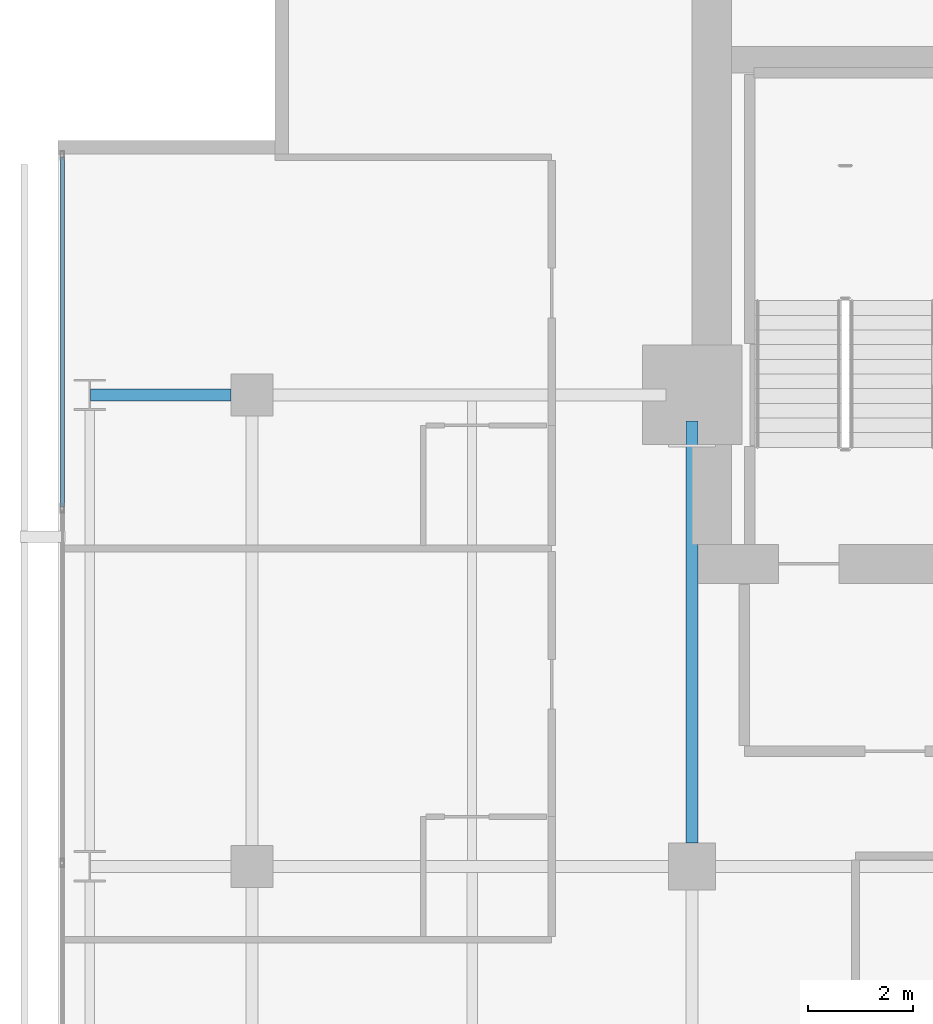
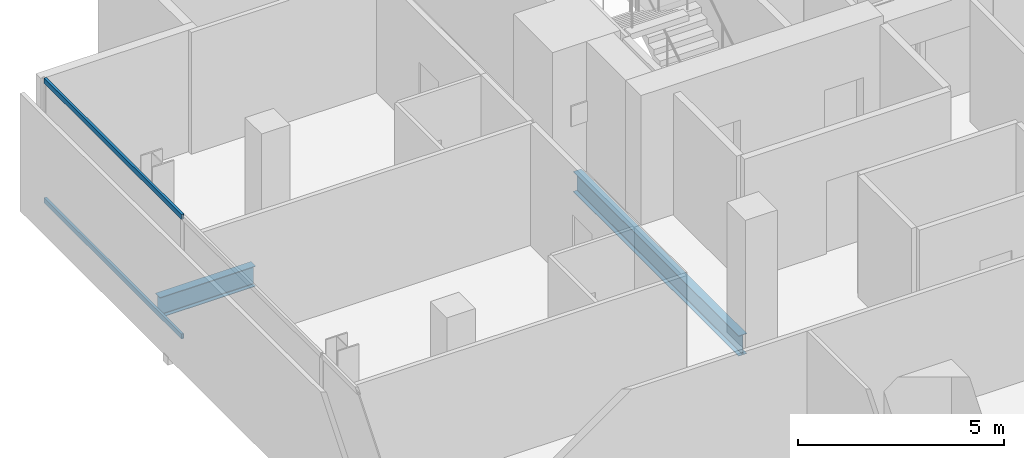
# One storey, part 19 of 33: 2 beams, 2 members, 1 element without a shape of its own.
"""IFC4 building model written with IfcOpenShell, lengths in metres."""

import ifcopenshell
import ifcopenshell.guid

model = None  # the IFC model being written
_history = None  # IfcOwnerHistory: only IFC2X3 demands one
_inside = {}  # id of a spatial element -> (the spatial element, [elements in it])
_under = {}  # id of a project, library or spatial element -> (it, [spatial elements below it])
_declared = {}  # id of a project -> (the project, [libraries it declares])
_typed = {}  # id of a type object -> (the type object, [elements of that type])
_made_of = {}  # id of a material, layer set ... -> (it, [elements and type objects made of it])


def new_model(schema):
    """Start an empty IFC model of exactly this schema.

    Asked for "IFC4X3", IfcOpenShell would pick the latest addendum, in which some entities
    have other attributes; the version numbers below select the first issue.
    IFC2X3 requires an IfcOwnerHistory on every rooted entity: one is made here for all.
    """
    global model, _history
    if schema == "IFC4X3":
        model = ifcopenshell.file(schema_version=(4, 3, 0, 0))
    else:
        model = ifcopenshell.file(schema=schema)
    _inside.clear()
    _under.clear()
    _declared.clear()
    _typed.clear()
    _made_of.clear()
    _history = None
    if model.schema == "IFC2X3":
        org = make("IfcOrganization", Name="unknown")
        user = make(
            "IfcPersonAndOrganization",
            ThePerson=make("IfcPerson", FamilyName="unknown"),
            TheOrganization=org,
        )
        app = make(
            "IfcApplication",
            ApplicationDeveloper=org,
            Version="unknown",
            ApplicationFullName="unknown",
            ApplicationIdentifier="unknown",
        )
        _history = make(
            "IfcOwnerHistory",
            OwningUser=user,
            OwningApplication=app,
            ChangeAction="ADDED",
            CreationDate=0,
        )
    return model


def make(cls, **values):
    """One entity of the class cls with the attributes given. An attribute that is None is left unset."""
    return model.create_entity(
        cls, **{name: value for name, value in values.items() if value is not None}
    )


def rooted(cls, **values):
    """An entity with a GlobalId (a new one), such as an element, a storey or a relation."""
    return make(cls, GlobalId=ifcopenshell.guid.new(), OwnerHistory=_history, **values)


def si_unit(unit_type, name, prefix=None):
    """IfcSIUnit, for example si_unit("LENGTHUNIT", "METRE", prefix="MILLI")."""
    return make("IfcSIUnit", UnitType=unit_type, Prefix=prefix, Name=name)


def assignment(units):
    """IfcUnitAssignment: the units of a project."""
    return None if units is None else make("IfcUnitAssignment", Units=units)


def point(xyz):
    """IfcCartesianPoint."""
    return None if xyz is None else make("IfcCartesianPoint", Coordinates=xyz)


def direction(xyz):
    """IfcDirection."""
    return None if xyz is None else make("IfcDirection", DirectionRatios=xyz)


def frame(location, z_axis=None, x_axis=None):
    """IfcAxis2Placement3D, a coordinate frame: its origin and axes. An axis left out is left unset."""
    return make(
        "IfcAxis2Placement3D",
        Location=point(location),
        Axis=direction(z_axis),
        RefDirection=direction(x_axis),
    )


def frame_2d(location, x_axis=None):
    """IfcAxis2Placement2D, a coordinate frame in the plane: its origin and x axis."""
    return make(
        "IfcAxis2Placement2D", Location=point(location), RefDirection=direction(x_axis)
    )


def origin():
    """The frame at (0, 0, 0) with its axes left unset."""
    return frame((0.0, 0.0, 0.0))


def origin_2d():
    """The frame at (0, 0) in the plane with its x axis left unset."""
    return frame_2d((0.0, 0.0))


def place(relative_to, where):
    """IfcLocalPlacement: puts the frame where relative to a parent placement (None: the world)."""
    return make(
        "IfcLocalPlacement", PlacementRelTo=relative_to, RelativePlacement=where
    )


def context(
    kind, dimensions, precision=None, world=None, true_north=None, identifier=None
):
    """IfcGeometricRepresentationContext, for example the 3D "Model" context."""
    return make(
        "IfcGeometricRepresentationContext",
        ContextIdentifier=identifier,
        ContextType=kind,
        CoordinateSpaceDimension=dimensions,
        Precision=precision,
        WorldCoordinateSystem=world,
        TrueNorth=true_north,
    )


def subcontext(parent, identifier, kind, view, scale=None):
    """IfcGeometricRepresentationSubContext, for example "Body" below "Model"."""
    return make(
        "IfcGeometricRepresentationSubContext",
        ContextIdentifier=identifier,
        ContextType=kind,
        ParentContext=parent,
        TargetScale=scale,
        TargetView=view,
    )


def project(units=None, contexts=None):
    """IfcProject with its units and contexts."""
    return rooted(
        "IfcProject",
        Name="project",
        RepresentationContexts=contexts,
        UnitsInContext=assignment(units),
    )


def spatial(cls, under=None, at=None, **own):
    """A site, building, storey or space (cls), placed at a placement, below another one or the project."""
    s = rooted(cls, ObjectPlacement=at, **own)
    if under is not None:
        _under.setdefault(under.id(), (under, []))[1].append(s)
    return s


def profile(cls, at=None, kind="AREA", **sizes):
    """A parametric profile (cls). Its sizes go by their IFC names, for example OverallWidth=200.0."""
    return make(cls, ProfileType=kind, Position=at, **sizes)


def hollow_rectangle(**sizes):
    """IfcRectangleHollowProfileDef."""
    return profile("IfcRectangleHollowProfileDef", **sizes)


def i_section(**sizes):
    """IfcIShapeProfileDef."""
    return profile("IfcIShapeProfileDef", **sizes)


def extrude(swept, where, along, depth):
    """IfcExtrudedAreaSolid: the profile swept, set in the frame where, extruded along a direction by depth."""
    return make(
        "IfcExtrudedAreaSolid",
        SweptArea=swept,
        Position=where,
        ExtrudedDirection=direction(along),
        Depth=depth,
    )


def shape(context_of_items, identifier, shape_type, items):
    """IfcShapeRepresentation: the items that make up one representation, for example the "Body"."""
    return make(
        "IfcShapeRepresentation",
        ContextOfItems=context_of_items,
        RepresentationIdentifier=identifier,
        RepresentationType=shape_type,
        Items=items,
    )


def material(Name=None, Category=None):
    """IfcMaterial."""
    return make("IfcMaterial", Name=Name, Category=Category)


def layer(
    of_material, thickness, ventilated=None, Name=None, Category=None, Priority=None
):
    """IfcMaterialLayer: one layer of a wall or slab, of a material (None: an air gap)."""
    return make(
        "IfcMaterialLayer",
        Material=of_material,
        LayerThickness=thickness,
        IsVentilated=ventilated,
        Name=Name,
        Category=Category,
        Priority=Priority,
    )


def layer_set(layers, Name=None):
    """IfcMaterialLayerSet."""
    return make("IfcMaterialLayerSet", MaterialLayers=layers, LayerSetName=Name)


def material_profile(
    of_material, cross_section, Name=None, Category=None, Priority=None
):
    """IfcMaterialProfile: a cross section and its material."""
    return make(
        "IfcMaterialProfile",
        Name=Name,
        Material=of_material,
        Profile=cross_section,
        Priority=Priority,
        Category=Category,
    )


def profile_set(profiles, Name=None, composite=None):
    """IfcMaterialProfileSet."""
    return make(
        "IfcMaterialProfileSet",
        Name=Name,
        MaterialProfiles=profiles,
        CompositeProfile=composite,
    )


def made_of(thing, what):
    """Note that an element or type object is made of a material, layer set ...; save() writes the relation."""
    if what is not None:
        _made_of.setdefault(what.id(), (what, []))[1].append(thing)
    return thing


def type_object(cls, material=None, **own):
    """A type object (cls), such as IfcWallType, which elements share."""
    return made_of(rooted(cls, **own), material)


def element(
    cls,
    number,
    at=None,
    inside=None,
    cuts=None,
    type_object=None,
    material=None,
    context=None,
    identifier="Body",
    shape_type=None,
    held_by="IfcProductDefinitionShape",
    body=None,
    shapes=None,
    **own,
):
    """One element of the class cls, such as IfcWall. Its Tag is "e" and its number.

    at: its placement. inside: the storey or other place that contains it. cuts: it is an
    opening in that element (IfcRelVoidsElement). A single representation is given by context,
    identifier, shape_type and body (its items); several are given by shapes. held_by: the class
    of the entity that holds the representations. save() writes the other relations.
    """
    e = rooted(cls, Tag="e%d" % number, ObjectPlacement=at, **own)
    if body is not None:
        shapes = [shape(context, identifier, shape_type, body)]
    if shapes is not None:
        e.Representation = make(held_by, Representations=shapes)
    if inside is not None:
        _inside.setdefault(inside.id(), (inside, []))[1].append(e)
    if cuts is not None:
        rooted(
            "IfcRelVoidsElement", RelatingBuildingElement=cuts, RelatedOpeningElement=e
        )
    if type_object is not None:
        _typed.setdefault(type_object.id(), (type_object, []))[1].append(e)
    return made_of(e, material)


def aggregate(whole, parts):
    """IfcRelAggregates: a whole, such as a stair, and the parts it consists of."""
    return rooted("IfcRelAggregates", RelatingObject=whole, RelatedObjects=parts)


def save(model, path):
    """Write the relations noted so far, then the file.

    IfcRelAggregates (storeys below a building ...), IfcRelContainedInSpatialStructure (elements
    in a storey), IfcRelDefinesByType, IfcRelAssociatesMaterial and IfcRelDeclares: one each for
    every whole, place, type object, material and project.
    """
    for whole, parts in _under.values():
        aggregate(whole, parts)
    for where, things in _inside.values():
        rooted(
            "IfcRelContainedInSpatialStructure",
            RelatedElements=things,
            RelatingStructure=where,
        )
    for kind, things in _typed.values():
        rooted("IfcRelDefinesByType", RelatedObjects=things, RelatingType=kind)
    for what, things in _made_of.values():
        rooted("IfcRelAssociatesMaterial", RelatedObjects=things, RelatingMaterial=what)
    for by, libraries in _declared.values():
        rooted("IfcRelDeclares", RelatingContext=by, RelatedDefinitions=libraries)
    model.write(path)


model = new_model("IFC4")

# Units and contexts
model_context = context("Model", 3, precision=1e-05, world=origin(), true_north=direction((0.0, 1.0)))
body_context = subcontext(model_context, "Body", "Model", "MODEL_VIEW")
ifc_project = project(units=[si_unit("LENGTHUNIT", "METRE"), si_unit("AREAUNIT", "SQUARE_METRE"), si_unit("VOLUMEUNIT", "CUBIC_METRE"), si_unit("PLANEANGLEUNIT", "RADIAN"), si_unit("MASSUNIT", "GRAM", prefix="KILO")], contexts=[model_context])

# Site, building, storey
site_placement = place(None, origin())
site = spatial("IfcSite", under=ifc_project, at=site_placement, CompositionType="ELEMENT")
building_placement = place(site_placement, origin())
building = spatial("IfcBuilding", under=site, at=building_placement, Name="Maruvema Waterfront Hotel and Observation Tower", CompositionType="ELEMENT")
storey_placement = place(building_placement, frame((0.0, 0.0, 158.199951171875)))
storey = spatial("IfcBuildingStorey", under=building, at=storey_placement, Name="L38", CompositionType="ELEMENT", Elevation=158.199951171875)

# Curtain wall, members
ifc_material_1 = material(Name="Anodised bronze aluminium and solar-control low-E IGU", Category="aluminium")
ifc_layer = layer(ifc_material_1, 0.159912109375, Name="Zone 2 Amber Inner Thermal Curtain Wall System CW-03")
ifc_layer_set = layer_set([ifc_layer], Name="Anodised bronze aluminium and solar-control low-E IGU")
curtain_wall_type = type_object("IfcCurtainWallType", Name="Zone 2 Amber Inner Thermal Curtain Wall System CW-03", PredefinedType="USERDEFINED", material=ifc_layer_set)
curtain_wall_placement = place(storey_placement, origin())
curtain_wall = element("IfcCurtainWall", 1, at=curtain_wall_placement, inside=storey, type_object=curtain_wall_type, Name="L38 Curtain Wall CW-L38-W", ObjectType="UNITISED CURTAIN WALL", PredefinedType="USERDEFINED")
ifc_material_2 = material(Name="Anodised architectural bronze aluminium", Category="aluminium")
ifc_material_profile_1 = material_profile(ifc_material_2, hollow_rectangle(XDim=0.070068359375, YDim=0.14990234375, WallThickness=0.00390625, at=origin_2d()), Name="ALU-T70x150")
ifc_profile_set_1 = profile_set([ifc_material_profile_1], Name="Anodised architectural bronze aluminium")
member_type = type_object("IfcMemberType", Name="Curtain Wall Horizontal Transom ALU-T70x150", PredefinedType="USERDEFINED", material=ifc_profile_set_1)
member_1_placement = place(storey_placement, frame((13.179931640625, 49.5400390625, 0.030029296875), z_axis=(0.0, -1.0, 0.0), x_axis=(1.0, 0.0, 0.0)))
member_1 = element("IfcMember", 2, at=member_1_placement, type_object=member_type, Name="CW-03 transom 1.1", ObjectType="TRANSOM", PredefinedType="USERDEFINED", context=body_context, shape_type="SweptSolid", body=[
    extrude(hollow_rectangle(XDim=0.070068359375, YDim=0.14990234375, WallThickness=0.00390625, at=origin_2d()), origin(), (0.0, 0.0, 1.0), 6.6767578125),
])
member_2_placement = place(storey_placement, frame((13.179931640625, 49.5400390625, 3.580078125), z_axis=(0.0, -1.0, 0.0), x_axis=(1.0, 0.0, 0.0)))
member_2 = element("IfcMember", 3, at=member_2_placement, type_object=member_type, Name="CW-03 transom 1.2", ObjectType="TRANSOM", PredefinedType="USERDEFINED", context=body_context, shape_type="SweptSolid", body=[
    extrude(hollow_rectangle(XDim=0.070068359375, YDim=0.14990234375, WallThickness=0.00390625, at=origin_2d()), origin(), (0.0, 0.0, 1.0), 6.6767578125),
])
aggregate(curtain_wall, [member_1, member_2])

# Beams
ifc_material_3 = material(Name="Steel ASTM A572 Grade 50", Category="steel")
ifc_material_profile_2 = material_profile(ifc_material_3, i_section(OverallWidth=0.22802734375, OverallDepth=0.60302734375, WebThickness=0.010498046875, FlangeThickness=0.014892578125, FilletRadius=0.01806640625, at=origin_2d()), Name="W610x101.0")
ifc_profile_set_2 = profile_set([ifc_material_profile_2], Name="Steel ASTM A572 Grade 50")
beam_type = type_object("IfcBeamType", Name="Primary Floor Girder W610x101.0", PredefinedType="BEAM", material=ifc_profile_set_2)
beam_1_placement = place(storey_placement, frame((13.71240234375, 45.0, -0.54150390625), z_axis=(1.0, 0.0, 0.0), x_axis=(0.0, 1.0, 0.0)))
element("IfcBeam", 4, at=beam_1_placement, inside=storey, type_object=beam_type, Name="L38 Floor Girder EW-30", PredefinedType="BEAM", context=body_context, shape_type="SweptSolid", body=[
    extrude(i_section(OverallWidth=0.22802734375, OverallDepth=0.60302734375, WebThickness=0.010498046875, FlangeThickness=0.014892578125, FilletRadius=0.01806640625, at=origin_2d()), origin(), (0.0, 0.0, 1.0), 2.6875),
])
beam_2_placement = place(storey_placement, frame((25.199951171875, 36.449951171875, -0.54150390625), z_axis=(0.0, 1.0, 0.0), x_axis=(-1.0, 0.0, 0.0)))
element("IfcBeam", 5, at=beam_2_placement, inside=storey, type_object=beam_type, Name="L38 Floor Girder NS-13", PredefinedType="BEAM", context=body_context, shape_type="SweptSolid", body=[
    extrude(i_section(OverallWidth=0.22802734375, OverallDepth=0.60302734375, WebThickness=0.010498046875, FlangeThickness=0.014892578125, FilletRadius=0.01806640625, at=origin_2d()), origin(), (0.0, 0.0, 1.0), 8.050048828125),
])

save(model, "model.ifc")
